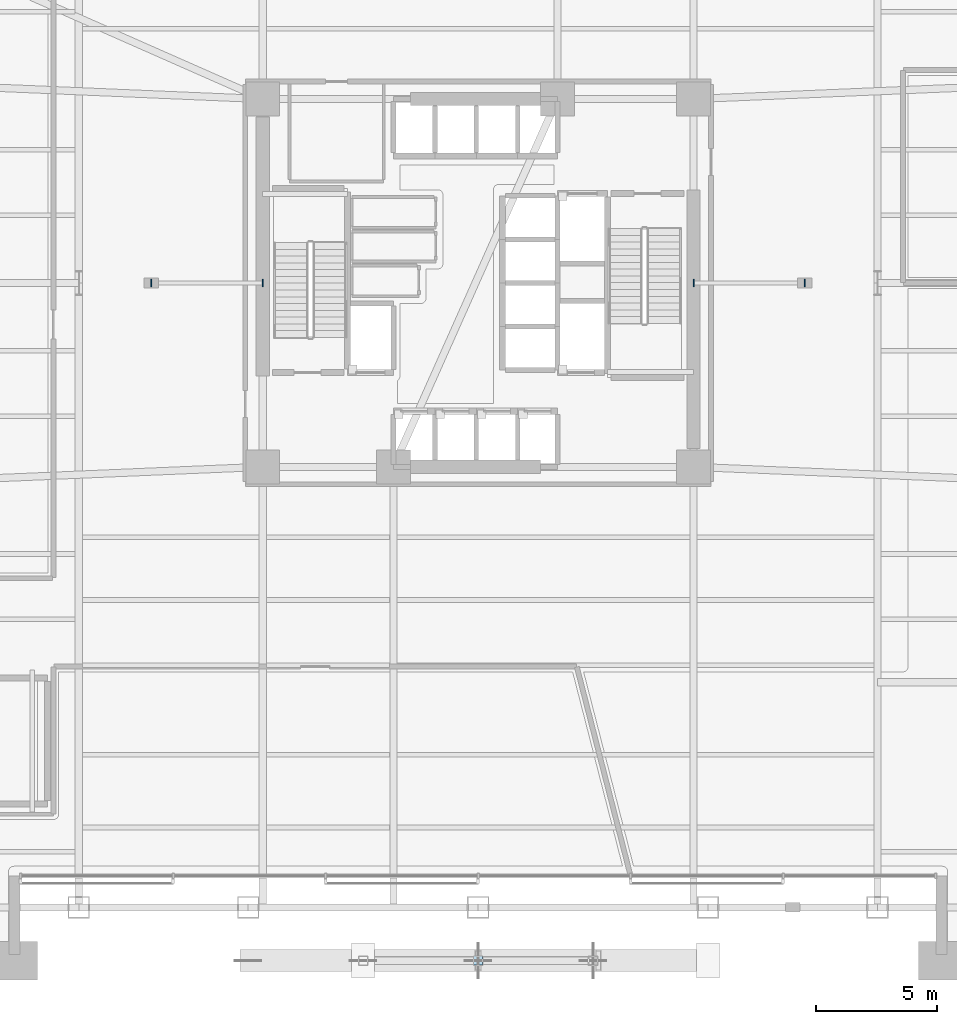
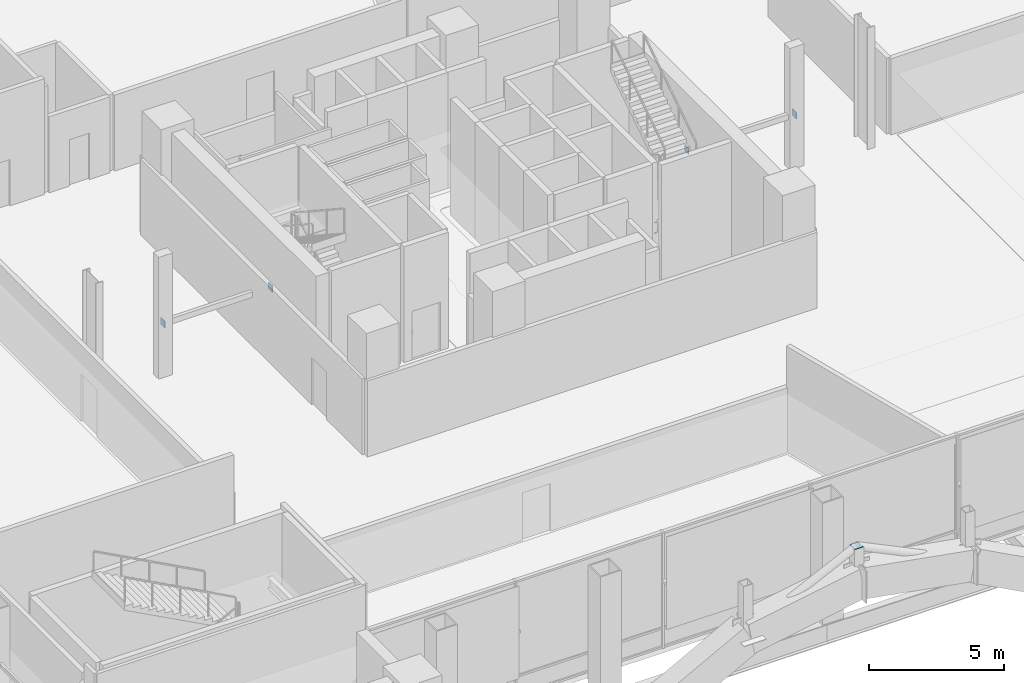
# One storey, part 7 of 19: 5 plates.
"""IFC4 building model written with IfcOpenShell, lengths in metres."""

from ifc_helpers import new_model, si_unit, direction, frame, origin, origin_2d, place, context, subcontext, project, spatial, rectangle, extrude, material, layer, layer_set, type_object, element, save


model = new_model("IFC4")

# Units and contexts
model_context = context("Model", 3, precision=1e-05, world=origin(), true_north=direction((0.0, 1.0)))
body_context = subcontext(model_context, "Body", "Model", "MODEL_VIEW")
ifc_project = project(units=[si_unit("LENGTHUNIT", "METRE"), si_unit("AREAUNIT", "SQUARE_METRE"), si_unit("VOLUMEUNIT", "CUBIC_METRE"), si_unit("PLANEANGLEUNIT", "RADIAN"), si_unit("MASSUNIT", "GRAM", prefix="KILO")], contexts=[model_context])

# Site, building, storey
site_placement = place(None, origin())
site = spatial("IfcSite", under=ifc_project, at=site_placement, CompositionType="ELEMENT")
building_placement = place(site_placement, origin())
building = spatial("IfcBuilding", under=site, at=building_placement, Name="Tharavind Bronze Gate", CompositionType="ELEMENT")
storey_placement = place(building_placement, frame((0.0, 0.0, 11.0)))
storey = spatial("IfcBuildingStorey", under=building, at=storey_placement, Name="L02", CompositionType="ELEMENT", Elevation=11.0)

# Plates
ifc_material = material(Name="Steel S355", Category="steel")
ifc_layer = layer(ifc_material, 0.02490234375)
ifc_layer_set = layer_set([ifc_layer], Name="Steel S355")
plate_type = type_object("IfcPlateType", Name="STEEL END CAP SHEET S355 25", PredefinedType="SHEET", material=ifc_layer_set)
plate_placement = place(storey_placement, frame((0.0, -28.0, 4.4775390625), z_axis=(0.0, 0.0, 1.0), x_axis=(1.0, 0.0, 0.0)))
element("IfcPlate", 1, at=plate_placement, inside=storey, type_object=plate_type, Name="Steel end cap plate CAP-ARCH-DG4B", PredefinedType="SHEET", context=body_context, shape_type="SweptSolid", body=[
    extrude(rectangle(XDim=0.368896484375, YDim=0.368896484375, at=origin_2d()), origin(), (0.0, 0.0, 1.0), 0.02490234375),
])
for number, where, z_axis, x_axis, name in (
    (2, (-13.5, 0.0, 2.177490234375), (0.0, 0.0, 1.0), (1.0, 0.0, 0.0), "Steel end cap plate CAP-L02-LNT1A"),
    (3, (-8.89990234375, 0.0, 2.177490234375), (0.0, 0.0, 1.0), (1.0, 0.0, 0.0), "Steel end cap plate CAP-L02-LNT1B"),
    (4, (8.89990234375, 0.0, 2.177490234375), (0.0, 0.0, 1.0), (1.0, 0.0, 0.0), "Steel end cap plate CAP-L02-LNT2A"),
    (5, (13.5, 0.0, 2.177490234375), (0.0, 0.0, 1.0), (1.0, 0.0, 0.0), "Steel end cap plate CAP-L02-LNT2B"),
):
    element("IfcPlate", number, at=place(storey_placement, frame(where, z_axis=z_axis, x_axis=x_axis)), inside=storey, type_object=plate_type, Name=name, PredefinedType="SHEET", context=body_context, shape_type="SweptSolid", body=[
        extrude(rectangle(XDim=0.0400390625, YDim=0.294921875, at=origin_2d()), origin(), (0.0, 0.0, 1.0), 0.294921875),
    ])

save(model, "model.ifc")
